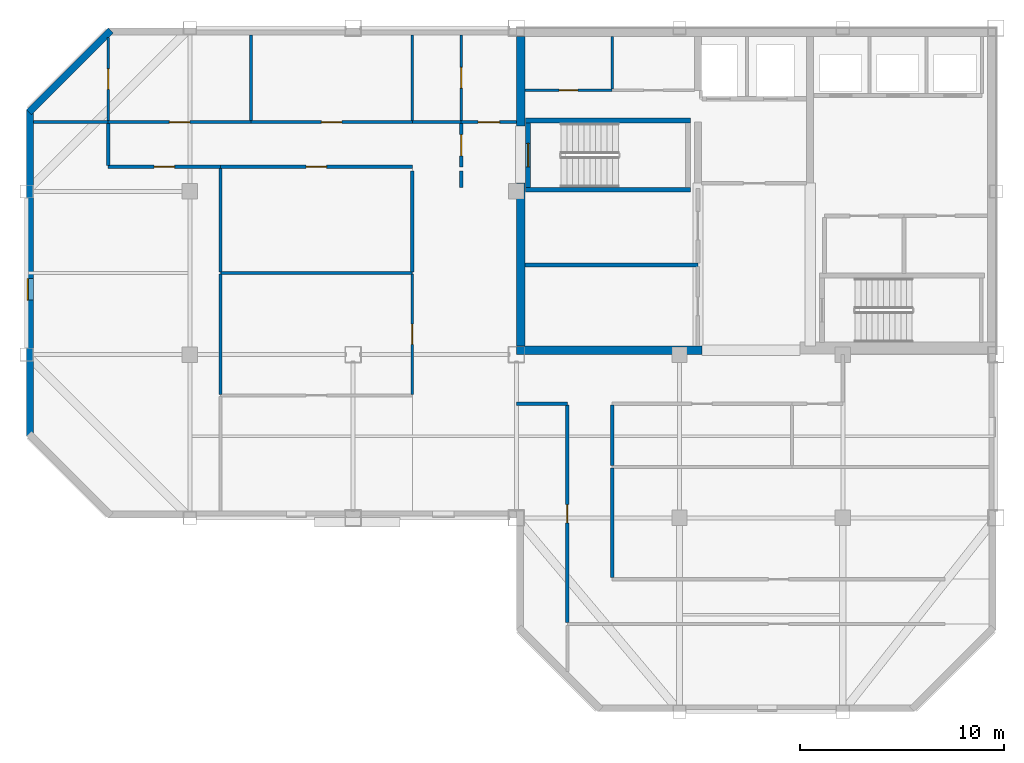
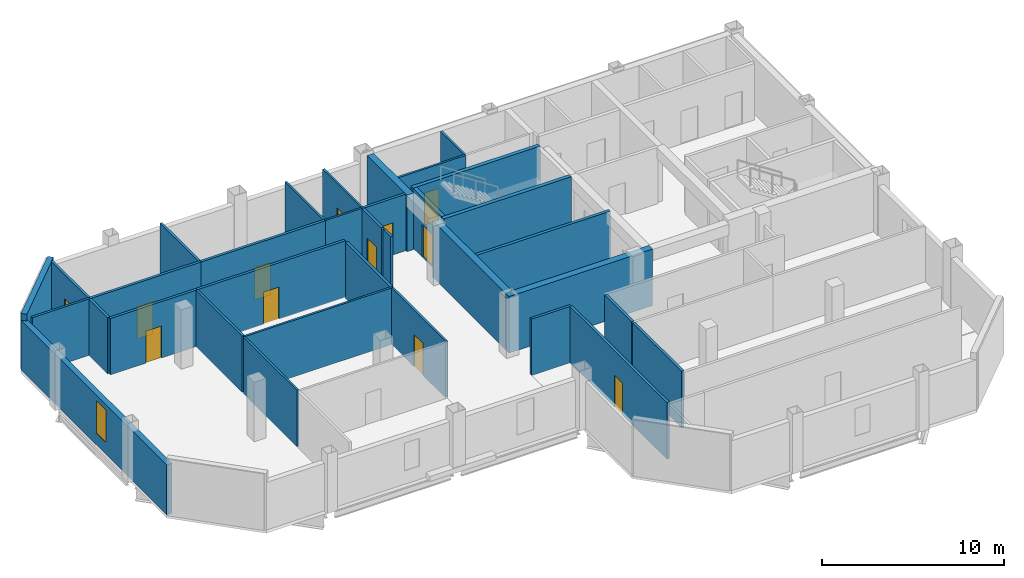
# One storey, part 2 of 7: 34 walls, 12 doors, 1 window, 13 openings.
"""IFC4 building model written with IfcOpenShell, lengths in metres."""

from ifc_helpers import new_model, si_unit, direction, frame, frame_2d, origin, place, context, subcontext, project, spatial, rectangle, extrude, material, layer, layer_set, type_object, element, fill, save


model = new_model("IFC4")

# Units and contexts
model_context = context("Model", 3, precision=1e-05, world=origin(), true_north=direction((0.0, 1.0)))
body_context = subcontext(model_context, "Body", "Model", "MODEL_VIEW")
ifc_project = project(units=[si_unit("LENGTHUNIT", "METRE"), si_unit("AREAUNIT", "SQUARE_METRE"), si_unit("VOLUMEUNIT", "CUBIC_METRE"), si_unit("PLANEANGLEUNIT", "RADIAN"), si_unit("MASSUNIT", "GRAM", prefix="KILO")], contexts=[model_context])

# Site, building, storey
site_placement = place(None, origin())
site = spatial("IfcSite", under=ifc_project, at=site_placement, CompositionType="ELEMENT")
building_placement = place(site_placement, origin())
building = spatial("IfcBuilding", under=site, at=building_placement, Name="Qianrong Seaharbour Tower", CompositionType="ELEMENT")
storey_placement = place(building_placement, frame((0.0, 0.0, 347.199951171875)))
storey = spatial("IfcBuildingStorey", under=building, at=storey_placement, Name="L84", CompositionType="ELEMENT", Elevation=347.199951171875)

# Walls
ifc_material_1 = material(Name="Concrete C50/60", Category="concrete")
ifc_layer_1 = layer(ifc_material_1, 0.419921875)
ifc_layer_set_1 = layer_set([ifc_layer_1], Name="Concrete C50/60")
wall_type_1 = type_object("IfcWallType", Name="WALL-CORE-420", PredefinedType="SHEAR", material=ifc_layer_set_1)
wall_1_placement = place(storey_placement, frame((40.7099609375, 36.419921875, 0.0), z_axis=(0.0, 0.0, 1.0), x_axis=(0.0, 1.0, 0.0)))
element("IfcWall", 1, at=wall_1_placement, inside=storey, type_object=wall_type_1, Name="L84 West Core Shear Wall South", PredefinedType="SHEAR", context=body_context, shape_type="SweptSolid", body=[
    extrude(rectangle(XDim=7.97998046875, YDim=0.419921875, at=frame_2d((3.989990234375, 0.0))), origin(), (0.0, 0.0, 1.0), 3.78515625),
])
wall_2_placement = place(storey_placement, frame((40.7099609375, 47.199951171875, 0.0), z_axis=(0.0, 0.0, 1.0), x_axis=(0.0, 1.0, 0.0)))
element("IfcWall", 2, at=wall_2_placement, inside=storey, type_object=wall_type_1, Name="L84 West Core Shear Wall North", PredefinedType="SHEAR", context=body_context, shape_type="SweptSolid", body=[
    extrude(rectangle(XDim=4.380126953125, YDim=0.419921875, at=frame_2d((2.18994140625, 0.0))), origin(), (0.0, 0.0, 1.0), 3.78515625),
])
wall_3_placement = place(storey_placement, frame((40.5, 36.2099609375, 0.0), z_axis=(0.0, 0.0, 1.0), x_axis=(1.0, 0.0, 0.0)))
element("IfcWall", 3, at=wall_3_placement, inside=storey, type_object=wall_type_1, Name="L84 South Core Shear Wall S1", PredefinedType="SHEAR", context=body_context, shape_type="SweptSolid", body=[
    extrude(rectangle(XDim=9.10009765625, YDim=0.419921875, at=frame_2d((4.550048828125, 0.0))), origin(), (0.0, 0.0, 1.0), 3.78515625),
])

# Wall, opening, door
ifc_material_2 = material(Name="Fire-rated acoustic gypsum board partition")
ifc_layer_2 = layer(ifc_material_2, 0.1650390625)
ifc_layer_set_2 = layer_set([ifc_layer_2], Name="Fire-rated acoustic gypsum board partition")
wall_type_2 = type_object("IfcWallType", Name="WALL-CORR-PART-165", PredefinedType="PARTITIONING", material=ifc_layer_set_2)
wall_4_placement = place(storey_placement, frame((37.800048828125, 47.39990234375, 0.0), z_axis=(0.0, 0.0, 1.0), x_axis=(1.0, 0.0, 0.0)))
wall_4 = element("IfcWall", 4, at=wall_4_placement, inside=storey, type_object=wall_type_2, Name="L84 Interior Partition Wall 001", PredefinedType="PARTITIONING", context=body_context, shape_type="SweptSolid", body=[
    extrude(rectangle(XDim=2.699951171875, YDim=0.1650390625, at=frame_2d((1.35009765625, 0.0))), origin(), (0.0, 0.0, 1.0), 3.78515625),
])
opening_1_placement = place(wall_4_placement, frame((0.824951171875, 0.0, 0.0)))
opening_1 = element("IfcOpeningElement", 5, at=opening_1_placement, cuts=wall_4, Name="Opening DC-01", PredefinedType="OPENING", context=body_context, shape_type="SweptSolid", body=[
    extrude(rectangle(XDim=1.050048828125, YDim=2.14990234375, at=frame_2d((0.52490234375, 1.074951171875))), frame((0.0, 0.092529296875, 0.0), z_axis=(0.0, -1.0, 0.0), x_axis=(1.0, 0.0, 0.0)), (0.0, 0.0, 1.0), 0.18505859375),
])
ifc_material_3 = material(Name="Acoustic timber and galvanized steel fire door assembly", Category="steel")
door_type_1 = type_object("IfcDoorType", Name="DOOR-CORR-FD60-1050x2150", OperationType="NOTDEFINED", PredefinedType="DOOR", material=ifc_material_3)
door_1_placement = place(opening_1_placement, origin())
door_1 = element("IfcDoor", 6, at=door_1_placement, inside=storey, type_object=door_type_1, Name="L84 Smokeproof Stair Vestibule ST-1 Door", OperationType="SINGLE_SWING_RIGHT", OverallHeight=2.14990234375, OverallWidth=1.050048828125, PredefinedType="DOOR", context=body_context, shape_type="SweptSolid", body=[
    extrude(rectangle(XDim=1.050048828125, YDim=2.14990234375, at=frame_2d((0.52490234375, 1.074951171875))), frame((0.0, 0.02490234375, 0.0), z_axis=(0.0, -1.0, 0.0), x_axis=(1.0, 0.0, 0.0)), (0.0, 0.0, 1.0), 0.050048828125),
])
fill(opening_1, door_1)

wall_5_placement = place(storey_placement, frame((37.800048828125, 45.199951171875, 0.0), z_axis=(0.0, 0.0, 1.0), x_axis=(0.0, 1.0, 0.0)))
wall_5 = element("IfcWall", 7, at=wall_5_placement, inside=storey, type_object=wall_type_2, Name="L84 Interior Partition Wall 002", PredefinedType="PARTITIONING", context=body_context, shape_type="SweptSolid", body=[
    extrude(rectangle(XDim=2.12548828125, YDim=0.1650390625, at=frame_2d((1.062744140625, 0.0))), origin(), (0.0, 0.0, 1.0), 3.78515625),
])
opening_2_placement = place(wall_5_placement, frame((0.537841796875, 0.0, 0.0)))
opening_2 = element("IfcOpeningElement", 8, at=opening_2_placement, cuts=wall_5, Name="Opening DC-01", PredefinedType="OPENING", context=body_context, shape_type="SweptSolid", body=[
    extrude(rectangle(XDim=1.050048828125, YDim=2.14990234375, at=frame_2d((0.52490234375, 1.074951171875))), frame((0.0, 0.092529296875, 0.0), z_axis=(0.0, -1.0, 0.0), x_axis=(1.0, 0.0, 0.0)), (0.0, 0.0, 1.0), 0.18505859375),
])
door_2_placement = place(opening_2_placement, origin())
door_2 = element("IfcDoor", 9, at=door_2_placement, inside=storey, type_object=door_type_1, Name="L84 Smokeproof Stair Vestibule ST-1 Door", OperationType="SINGLE_SWING_LEFT", OverallHeight=2.14990234375, OverallWidth=1.050048828125, PredefinedType="DOOR", context=body_context, shape_type="SweptSolid", body=[
    extrude(rectangle(XDim=1.050048828125, YDim=2.14990234375, at=frame_2d((0.52490234375, 1.074951171875))), frame((0.0, 0.02490234375, 0.0), z_axis=(0.0, -1.0, 0.0), x_axis=(1.0, 0.0, 0.0)), (0.0, 0.0, 1.0), 0.050048828125),
])
fill(opening_2, door_2)

# Wall
wall_6_placement = place(storey_placement, frame((37.800048828125, 44.199951171875, 0.0), z_axis=(0.0, 0.0, 1.0), x_axis=(0.0, 1.0, 0.0)))
element("IfcWall", 10, at=wall_6_placement, inside=storey, type_object=wall_type_2, Name="L84 Interior Partition Wall 003", PredefinedType="PARTITIONING", context=body_context, shape_type="SweptSolid", body=[
    extrude(rectangle(XDim=0.800048828125, YDim=0.1650390625, at=frame_2d((0.39990234375, 0.0))), origin(), (0.0, 0.0, 1.0), 3.78515625),
])

# Wall, opening, door
wall_7_placement = place(storey_placement, frame((20.5, 47.39990234375, 0.0), z_axis=(0.0, 0.0, 1.0), x_axis=(1.0, 0.0, 0.0)))
wall_7 = element("IfcWall", 11, at=wall_7_placement, inside=storey, type_object=wall_type_2, Name="L84 Interior Partition Wall 018", PredefinedType="PARTITIONING", context=body_context, shape_type="SweptSolid", body=[
    extrude(rectangle(XDim=7.0, YDim=0.1650390625, at=frame_2d((3.5, 0.0))), origin(), (0.0, 0.0, 1.0), 3.78515625),
])
opening_3_placement = place(wall_7_placement, frame((3.0, 0.0, 0.0)))
opening_3 = element("IfcOpeningElement", 12, at=opening_3_placement, cuts=wall_7, Name="Opening DO-01", PredefinedType="OPENING", context=body_context, shape_type="SweptSolid", body=[
    extrude(rectangle(XDim=1.0, YDim=2.14990234375, at=frame_2d((0.5, 1.074951171875))), frame((0.0, 0.092529296875, 0.0), z_axis=(0.0, -1.0, 0.0), x_axis=(1.0, 0.0, 0.0)), (0.0, 0.0, 1.0), 0.18505859375),
])
door_type_2 = type_object("IfcDoorType", Name="DOOR-OFFICE-1000x2150", OperationType="NOTDEFINED", PredefinedType="DOOR", material=ifc_material_3)
door_3_placement = place(opening_3_placement, origin())
door_3 = element("IfcDoor", 13, at=door_3_placement, inside=storey, type_object=door_type_2, Name="L84 Physiotherapy Room 2 Door", OperationType="SINGLE_SWING_LEFT", OverallHeight=2.14990234375, OverallWidth=1.0, PredefinedType="DOOR", context=body_context, shape_type="SweptSolid", body=[
    extrude(rectangle(XDim=1.0, YDim=2.14990234375, at=frame_2d((0.5, 1.074951171875))), frame((0.0, 0.02490234375, 0.0), z_axis=(0.0, -1.0, 0.0), x_axis=(1.0, 0.0, 0.0)), (0.0, 0.0, 1.0), 0.050048828125),
])
fill(opening_3, door_3)

wall_8_placement = place(storey_placement, frame((27.5, 47.39990234375, 0.0), z_axis=(0.0, 0.0, 1.0), x_axis=(1.0, 0.0, 0.0)))
wall_8 = element("IfcWall", 14, at=wall_8_placement, inside=storey, type_object=wall_type_2, Name="L84 Interior Partition Wall 019", PredefinedType="PARTITIONING", context=body_context, shape_type="SweptSolid", body=[
    extrude(rectangle(XDim=7.89990234375, YDim=0.1650390625, at=frame_2d((3.949951171875, 0.0))), origin(), (0.0, 0.0, 1.0), 3.78515625),
])
opening_4_placement = place(wall_8_placement, frame((3.449951171875, 0.0, 0.0)))
opening_4 = element("IfcOpeningElement", 15, at=opening_4_placement, cuts=wall_8, Name="Opening DO-01", PredefinedType="OPENING", context=body_context, shape_type="SweptSolid", body=[
    extrude(rectangle(XDim=1.0, YDim=2.14990234375, at=frame_2d((0.5, 1.074951171875))), frame((0.0, 0.092529296875, 0.0), z_axis=(0.0, -1.0, 0.0), x_axis=(1.0, 0.0, 0.0)), (0.0, 0.0, 1.0), 0.18505859375),
])
door_4_placement = place(opening_4_placement, origin())
door_4 = element("IfcDoor", 16, at=door_4_placement, inside=storey, type_object=door_type_2, Name="L84 First Aid Nursing Room 3 Door", OperationType="SINGLE_SWING_RIGHT", OverallHeight=2.14990234375, OverallWidth=1.0, PredefinedType="DOOR", context=body_context, shape_type="SweptSolid", body=[
    extrude(rectangle(XDim=1.0, YDim=2.14990234375, at=frame_2d((0.5, 1.074951171875))), frame((0.0, 0.02490234375, 0.0), z_axis=(0.0, -1.0, 0.0), x_axis=(1.0, 0.0, 0.0)), (0.0, 0.0, 1.0), 0.050048828125),
])
fill(opening_4, door_4)

wall_9_placement = place(storey_placement, frame((26.0, 45.199951171875, 0.0), z_axis=(0.0, 0.0, 1.0), x_axis=(-1.0, 0.0, 0.0)))
wall_9 = element("IfcWall", 17, at=wall_9_placement, inside=storey, type_object=wall_type_2, Name="L84 Interior Partition Wall 020", PredefinedType="PARTITIONING", context=body_context, shape_type="SweptSolid", body=[
    extrude(rectangle(XDim=5.5, YDim=0.1650390625, at=frame_2d((2.75, 0.0))), origin(), (0.0, 0.0, 1.0), 3.78515625),
])
opening_5_placement = place(wall_9_placement, frame((2.25, 0.0, 0.0)))
opening_5 = element("IfcOpeningElement", 18, at=opening_5_placement, cuts=wall_9, Name="Opening DO-01", PredefinedType="OPENING", context=body_context, shape_type="SweptSolid", body=[
    extrude(rectangle(XDim=1.0, YDim=2.14990234375, at=frame_2d((0.5, 1.074951171875))), frame((0.0, 0.092529296875, 0.0), z_axis=(0.0, -1.0, 0.0), x_axis=(1.0, 0.0, 0.0)), (0.0, 0.0, 1.0), 0.18505859375),
])
door_5_placement = place(opening_5_placement, origin())
door_5 = element("IfcDoor", 19, at=door_5_placement, inside=storey, type_object=door_type_2, Name="L84 Wellness Exercise Hall Door", OperationType="SINGLE_SWING_LEFT", OverallHeight=2.14990234375, OverallWidth=1.0, PredefinedType="DOOR", context=body_context, shape_type="SweptSolid", body=[
    extrude(rectangle(XDim=1.0, YDim=2.14990234375, at=frame_2d((0.5, 1.074951171875))), frame((0.0, 0.02490234375, 0.0), z_axis=(0.0, -1.0, 0.0), x_axis=(1.0, 0.0, 0.0)), (0.0, 0.0, 1.0), 0.050048828125),
])
fill(opening_5, door_5)

# Wall
wall_10_placement = place(storey_placement, frame((20.5, 45.2744140625, 0.0), z_axis=(0.0, 0.0, 1.0), x_axis=(0.0, 1.0, 0.0)))
element("IfcWall", 20, at=wall_10_placement, inside=storey, type_object=wall_type_2, Name="L84 Interior Partition Wall 021", PredefinedType="PARTITIONING", context=body_context, shape_type="SweptSolid", body=[
    extrude(rectangle(XDim=2.051025390625, YDim=0.1650390625, at=frame_2d((1.025390625, 0.0))), origin(), (0.0, 0.0, 1.0), 3.78515625),
])

# Wall, opening, door
wall_11_placement = place(storey_placement, frame((35.39990234375, 45.199951171875, 0.0), z_axis=(0.0, 0.0, 1.0), x_axis=(-1.0, 0.0, 0.0)))
wall_11 = element("IfcWall", 21, at=wall_11_placement, inside=storey, type_object=wall_type_2, Name="L84 Interior Partition Wall 022", PredefinedType="PARTITIONING", context=body_context, shape_type="SweptSolid", body=[
    extrude(rectangle(XDim=9.39990234375, YDim=0.1650390625, at=frame_2d((4.699951171875, 0.0))), origin(), (0.0, 0.0, 1.0), 3.78515625),
])
opening_6_placement = place(wall_11_placement, frame((4.199951171875, 0.0, 0.0)))
opening_6 = element("IfcOpeningElement", 22, at=opening_6_placement, cuts=wall_11, Name="Opening DO-01", PredefinedType="OPENING", context=body_context, shape_type="SweptSolid", body=[
    extrude(rectangle(XDim=1.0, YDim=2.14990234375, at=frame_2d((0.5, 1.074951171875))), frame((0.0, 0.092529296875, 0.0), z_axis=(0.0, -1.0, 0.0), x_axis=(1.0, 0.0, 0.0)), (0.0, 0.0, 1.0), 0.18505859375),
])
door_6_placement = place(opening_6_placement, origin())
door_6 = element("IfcDoor", 23, at=door_6_placement, inside=storey, type_object=door_type_2, Name="L84 Records Office 3 Door", OperationType="SINGLE_SWING_RIGHT", OverallHeight=2.14990234375, OverallWidth=1.0, PredefinedType="DOOR", context=body_context, shape_type="SweptSolid", body=[
    extrude(rectangle(XDim=1.0, YDim=2.14990234375, at=frame_2d((0.5, 1.074951171875))), frame((0.0, 0.02490234375, 0.0), z_axis=(0.0, -1.0, 0.0), x_axis=(1.0, 0.0, 0.0)), (0.0, 0.0, 1.0), 0.050048828125),
])
fill(opening_6, door_6)

# Walls
wall_12_placement = place(storey_placement, frame((35.39990234375, 40.056884765625, 0.0), z_axis=(0.0, 0.0, 1.0), x_axis=(0.0, 1.0, 0.0)))
element("IfcWall", 24, at=wall_12_placement, inside=storey, type_object=wall_type_2, Name="L84 Interior Partition Wall 024", PredefinedType="PARTITIONING", context=body_context, shape_type="SweptSolid", body=[
    extrude(rectangle(XDim=4.943115234375, YDim=0.1650390625, at=frame_2d((2.4716796875, 0.0))), origin(), (0.0, 0.0, 1.0), 3.78515625),
])
wall_13_placement = place(storey_placement, frame((43.0, 33.60009765625, 0.0), z_axis=(0.0, 0.0, 1.0), x_axis=(-1.0, 0.0, 0.0)))
element("IfcWall", 25, at=wall_13_placement, inside=storey, type_object=wall_type_2, Name="L84 Interior Partition Wall 028", PredefinedType="PARTITIONING", context=body_context, shape_type="SweptSolid", body=[
    extrude(rectangle(XDim=2.5, YDim=0.1650390625, at=frame_2d((1.25, 0.0))), origin(), (0.0, 0.0, 1.0), 3.78515625),
])
wall_14_placement = place(storey_placement, frame((45.199951171875, 30.435546875, 0.0), z_axis=(0.0, 0.0, 1.0), x_axis=(0.0, -1.0, 0.0)))
element("IfcWall", 26, at=wall_14_placement, inside=storey, type_object=wall_type_2, Name="L84 Interior Partition Wall 030", PredefinedType="PARTITIONING", context=body_context, shape_type="SweptSolid", body=[
    extrude(rectangle(XDim=5.361083984375, YDim=0.1650390625, at=frame_2d((2.6806640625, 0.0))), origin(), (0.0, 0.0, 1.0), 3.78515625),
])
wall_15_placement = place(storey_placement, frame((45.199951171875, 33.525390625, 0.0), z_axis=(0.0, 0.0, 1.0), x_axis=(0.0, -1.0, 0.0)))
element("IfcWall", 27, at=wall_15_placement, inside=storey, type_object=wall_type_2, Name="L84 Interior Partition Wall 031", PredefinedType="PARTITIONING", context=body_context, shape_type="SweptSolid", body=[
    extrude(rectangle(XDim=2.9609375, YDim=0.1650390625, at=frame_2d((1.48046875, 0.0))), origin(), (0.0, 0.0, 1.0), 3.78515625),
])

# Wall, opening, door
wall_16_placement = place(storey_placement, frame((43.0, 22.87451171875, 0.0), z_axis=(0.0, 0.0, 1.0), x_axis=(0.0, 1.0, 0.0)))
wall_16 = element("IfcWall", 28, at=wall_16_placement, inside=storey, type_object=wall_type_2, Name="L84 Interior Partition Wall 032", PredefinedType="PARTITIONING", context=body_context, shape_type="SweptSolid", body=[
    extrude(rectangle(XDim=10.65087890625, YDim=0.1650390625, at=frame_2d((5.325439453125, 0.0))), origin(), (0.0, 0.0, 1.0), 3.78515625),
])
opening_7_placement = place(wall_16_placement, frame((4.87548828125, 0.0, 0.0)))
opening_7 = element("IfcOpeningElement", 29, at=opening_7_placement, cuts=wall_16, Name="Opening DS-01", PredefinedType="OPENING", context=body_context, shape_type="SweptSolid", body=[
    extrude(rectangle(XDim=0.89990234375, YDim=2.14990234375, at=frame_2d((0.449951171875, 1.074951171875))), frame((0.0, 0.092529296875, 0.0), z_axis=(0.0, -1.0, 0.0), x_axis=(1.0, 0.0, 0.0)), (0.0, 0.0, 1.0), 0.18505859375),
])
door_type_3 = type_object("IfcDoorType", Name="DOOR-STORE-900x2150", OperationType="NOTDEFINED", PredefinedType="DOOR", material=ifc_material_3)
door_7_placement = place(opening_7_placement, origin())
door_7 = element("IfcDoor", 30, at=door_7_placement, inside=storey, type_object=door_type_3, Name="L84 Clinical Dispensary Store Door", OperationType="SINGLE_SWING_LEFT", OverallHeight=2.14990234375, OverallWidth=0.89990234375, PredefinedType="DOOR", context=body_context, shape_type="SweptSolid", body=[
    extrude(rectangle(XDim=0.89990234375, YDim=2.14990234375, at=frame_2d((0.449951171875, 1.074951171875))), frame((0.0, 0.02490234375, 0.0), z_axis=(0.0, -1.0, 0.0), x_axis=(1.0, 0.0, 0.0)), (0.0, 0.0, 1.0), 0.050048828125),
])
fill(opening_7, door_7)

# Wall, opening, window
ifc_material_4 = material(Name="Unitised buff brick on Precast concrete C45/55", Category="masonry")
ifc_layer_3 = layer(ifc_material_4, 0.340087890625)
ifc_layer_set_3 = layer_set([ifc_layer_3], Name="Unitised buff brick on Precast concrete C45/55")
wall_type_3 = type_object("IfcWallType", Name="WALL-EXT-BRICK-BUFF-340", PredefinedType="SOLIDWALL", material=ifc_layer_set_3)
wall_17_placement = place(storey_placement, frame((16.669921875, 32.0, 0.0), z_axis=(0.0, 0.0, 1.0), x_axis=(0.0, 1.0, 0.0)))
wall_17 = element("IfcWall", 31, at=wall_17_placement, inside=storey, type_object=wall_type_3, Name="L84 Exterior Masonry Facade Wall WEST_TIP", PredefinedType="SOLIDWALL", context=body_context, shape_type="SweptSolid", body=[
    extrude(rectangle(XDim=16.0, YDim=0.340087890625, at=frame_2d((8.0, 0.0))), origin(), (0.0, 0.0, 1.0), 3.3349609375),
])
opening_8_placement = place(wall_17_placement, frame((6.675048828125, 0.0, 0.800048828125)))
opening_8 = element("IfcOpeningElement", 32, at=opening_8_placement, cuts=wall_17, Name="Opening WN-14", PredefinedType="OPENING", context=body_context, shape_type="SweptSolid", body=[
    extrude(rectangle(XDim=1.050048828125, YDim=2.14990234375, at=frame_2d((0.52490234375, 1.074951171875))), frame((0.0, 0.18017578125, 0.0), z_axis=(0.0, -1.0, 0.0), x_axis=(1.0, 0.0, 0.0)), (0.0, 0.0, 1.0), 0.360107421875),
])
ifc_material_5 = material(Name="Insulated low-e double glazing in thermally broken aluminium 6063-T6 frame", Category="aluminium")
window_type = type_object("IfcWindowType", Name="WIN-NARROW-1050x2150", PartitioningType="SINGLE_PANEL", PredefinedType="WINDOW", material=ifc_material_5)
window_placement = place(opening_8_placement, origin())
window = element("IfcWindow", 33, at=window_placement, inside=storey, type_object=window_type, Name="L84 Deep-Set Punched Window 03.02", OverallHeight=2.14990234375, OverallWidth=1.050048828125, PartitioningType="SINGLE_PANEL", PredefinedType="WINDOW", context=body_context, shape_type="SweptSolid", body=[
    extrude(rectangle(XDim=1.050048828125, YDim=2.14990234375, at=frame_2d((0.52490234375, 1.074951171875))), frame((0.0, 0.150146484375, 0.0), z_axis=(0.0, -1.0, 0.0), x_axis=(1.0, 0.0, 0.0)), (0.0, 0.0, 1.0), 0.06005859375),
])
fill(opening_8, window)

# Walls
wall_18_placement = place(storey_placement, frame((16.6201171875, 47.8798828125, 0.0), z_axis=(0.0, 0.0, 1.0), x_axis=(0.707106781187, 0.707106781187, 0.0)))
element("IfcWall", 34, at=wall_18_placement, inside=storey, type_object=wall_type_3, Name="L84 Exterior Masonry Facade Wall E04", PredefinedType="SOLIDWALL", context=body_context, shape_type="SweptSolid", body=[
    extrude(rectangle(XDim=5.65673828125, YDim=0.340087890625, at=frame_2d((2.828369140625, 0.0))), origin(), (0.0, 0.0, 1.0), 3.78515625),
])
ifc_material_6 = material(Name="Double fire-rated gypsum board acoustic partition")
ifc_layer_4 = layer(ifc_material_6, 0.18994140625)
ifc_layer_set_4 = layer_set([ifc_layer_4], Name="Double fire-rated gypsum board acoustic partition")
wall_type_4 = type_object("IfcWallType", Name="WALL-FIRE-PART-190", PredefinedType="PARTITIONING", material=ifc_layer_set_4)
wall_19_placement = place(storey_placement, frame((40.919921875, 40.39990234375, 0.0), z_axis=(0.0, 0.0, 1.0), x_axis=(1.0, 0.0, 0.0)))
element("IfcWall", 35, at=wall_19_placement, inside=storey, type_object=wall_type_4, Name="L84 Interior Partition Wall 013", PredefinedType="PARTITIONING", context=body_context, shape_type="SweptSolid", body=[
    extrude(rectangle(XDim=8.47998046875, YDim=0.18994140625, at=frame_2d((4.239990234375, 0.0))), origin(), (0.0, 0.0, 1.0), 3.78515625),
])

# Wall, opening, door
ifc_material_7 = material(Name="Acoustic gypsum board stud partition")
ifc_layer_5 = layer(ifc_material_7, 0.14501953125)
ifc_layer_set_5 = layer_set([ifc_layer_5], Name="Acoustic gypsum board stud partition")
wall_type_5 = type_object("IfcWallType", Name="WALL-OFFICE-PART-145", PredefinedType="PARTITIONING", material=ifc_layer_set_5)
wall_20_placement = place(storey_placement, frame((20.5, 51.530517578125, 0.0), z_axis=(0.0, 0.0, 1.0), x_axis=(0.0, -1.0, 0.0)))
wall_20 = element("IfcWall", 36, at=wall_20_placement, inside=storey, type_object=wall_type_5, Name="L84 Interior Partition Wall 039", PredefinedType="PARTITIONING", context=body_context, shape_type="SweptSolid", body=[
    extrude(rectangle(XDim=4.055908203125, YDim=0.14501953125, at=frame_2d((2.02783203125, 0.0))), origin(), (0.0, 0.0, 1.0), 3.78515625),
])
opening_9_placement = place(wall_20_placement, frame((1.528076171875, 0.0, 0.0)))
opening_9 = element("IfcOpeningElement", 37, at=opening_9_placement, cuts=wall_20, Name="Opening DO-01", PredefinedType="OPENING", context=body_context, shape_type="SweptSolid", body=[
    extrude(rectangle(XDim=1.0, YDim=2.14990234375, at=frame_2d((0.5, 1.074951171875))), frame((0.0, 0.08251953125, 0.0), z_axis=(0.0, -1.0, 0.0), x_axis=(1.0, 0.0, 0.0)), (0.0, 0.0, 1.0), 0.1650390625),
])
door_8_placement = place(opening_9_placement, origin())
door_8 = element("IfcDoor", 38, at=door_8_placement, inside=storey, type_object=door_type_2, Name="L84 Occupational Health Clinic 1 Door", OperationType="SINGLE_SWING_RIGHT", OverallHeight=2.14990234375, OverallWidth=1.0, PredefinedType="DOOR", context=body_context, shape_type="SweptSolid", body=[
    extrude(rectangle(XDim=1.0, YDim=2.14990234375, at=frame_2d((0.5, 1.074951171875))), frame((0.0, 0.02490234375, 0.0), z_axis=(0.0, -1.0, 0.0), x_axis=(1.0, 0.0, 0.0)), (0.0, 0.0, 1.0), 0.050048828125),
])
fill(opening_9, door_8)

# Walls
wall_21_placement = place(storey_placement, frame((20.5, 47.39990234375, 0.0), z_axis=(0.0, 0.0, 1.0), x_axis=(-1.0, 0.0, 0.0)))
element("IfcWall", 39, at=wall_21_placement, inside=storey, type_object=wall_type_5, Name="L84 Interior Partition Wall 040", PredefinedType="PARTITIONING", context=body_context, shape_type="SweptSolid", body=[
    extrude(rectangle(XDim=3.66796875, YDim=0.14501953125, at=frame_2d((1.833984375, 0.0))), origin(), (0.0, 0.0, 1.0), 3.78515625),
])
wall_22_placement = place(storey_placement, frame((27.5, 51.66796875, 0.0), z_axis=(0.0, 0.0, 1.0), x_axis=(0.0, -1.0, 0.0)))
element("IfcWall", 40, at=wall_22_placement, inside=storey, type_object=wall_type_5, Name="L84 Interior Partition Wall 041", PredefinedType="PARTITIONING", context=body_context, shape_type="SweptSolid", body=[
    extrude(rectangle(XDim=4.193359375, YDim=0.14501953125, at=frame_2d((2.0966796875, 0.0))), origin(), (0.0, 0.0, 1.0), 3.78515625),
])
wall_23_placement = place(storey_placement, frame((26.0, 45.12548828125, 0.0), z_axis=(0.0, 0.0, 1.0), x_axis=(0.0, -1.0, 0.0)))
element("IfcWall", 41, at=wall_23_placement, inside=storey, type_object=wall_type_5, Name="L84 Interior Partition Wall 044", PredefinedType="PARTITIONING", context=body_context, shape_type="SweptSolid", body=[
    extrude(rectangle(XDim=5.068603515625, YDim=0.14501953125, at=frame_2d((2.5341796875, 0.0))), origin(), (0.0, 0.0, 1.0), 3.78515625),
])
ifc_layer_6 = layer(ifc_material_1, 0.239990234375)
ifc_layer_set_6 = layer_set([ifc_layer_6], Name="Concrete C50/60")
wall_type_6 = type_object("IfcWallType", Name="WALL-SHAFT-RC240", PredefinedType="SOLIDWALL", material=ifc_layer_set_6)
for number, where, z_axis, x_axis, name in (
    (42, (40.9599609375, 47.469970703125, 0.0), (0.0, 0.0, 1.0), (1.0, 0.0, 0.0), "L84 ST-1 Structural Stair Core Wall N"),
    (43, (49.0400390625, 44.080078125, 0.0), (0.0, 0.0, 1.0), (-1.0, 0.0, 0.0), "L84 ST-1 Structural Stair Core Wall S"),
):
    element("IfcWall", number, at=place(storey_placement, frame(where, z_axis=z_axis, x_axis=x_axis)), inside=storey, type_object=wall_type_6, Name=name, PredefinedType="SOLIDWALL", context=body_context, shape_type="SweptSolid", body=[
        extrude(rectangle(XDim=8.080078125, YDim=0.239990234375, at=frame_2d((4.0400390625, 0.0))), origin(), (0.0, 0.0, 1.0), 4.0),
    ])

# Wall, opening, door
wall_24_placement = place(storey_placement, frame((41.080078125, 47.35009765625, 0.0), z_axis=(0.0, 0.0, 1.0), x_axis=(0.0, -1.0, 0.0)))
wall_24 = element("IfcWall", 44, at=wall_24_placement, inside=storey, type_object=wall_type_6, Name="L84 ST-1 Structural Stair Core Wall W", PredefinedType="SOLIDWALL", context=body_context, shape_type="SweptSolid", body=[
    extrude(rectangle(XDim=3.150146484375, YDim=0.239990234375, at=frame_2d((1.5751953125, 0.0))), origin(), (0.0, 0.0, 1.0), 4.0),
])
opening_10_placement = place(wall_24_placement, frame((1.0, 0.0, 0.0)))
opening_10 = element("IfcOpeningElement", 45, at=opening_10_placement, cuts=wall_24, Name="Opening SD-01", PredefinedType="OPENING", context=body_context, shape_type="SweptSolid", body=[
    extrude(rectangle(XDim=1.14990234375, YDim=2.199951171875, at=frame_2d((0.574951171875, 1.10009765625))), frame((0.0, 0.1298828125, 0.0), z_axis=(0.0, -1.0, 0.0), x_axis=(1.0, 0.0, 0.0)), (0.0, 0.0, 1.0), 0.260009765625),
])
door_type_4 = type_object("IfcDoorType", Name="DOOR-STAIR-FD60-1150x2200", OperationType="NOTDEFINED", PredefinedType="DOOR", material=ifc_material_3)
door_9_placement = place(opening_10_placement, origin())
door_9 = element("IfcDoor", 46, at=door_9_placement, inside=storey, type_object=door_type_4, Name="L84 ST-1 Protected Stair Door", OperationType="SINGLE_SWING_LEFT", OverallHeight=2.199951171875, OverallWidth=1.14990234375, PredefinedType="DOOR", context=body_context, shape_type="SweptSolid", body=[
    extrude(rectangle(XDim=1.14990234375, YDim=2.199951171875, at=frame_2d((0.574951171875, 1.10009765625))), frame((0.0, 0.02490234375, 0.0), z_axis=(0.0, -1.0, 0.0), x_axis=(1.0, 0.0, 0.0)), (0.0, 0.0, 1.0), 0.050048828125),
])
fill(opening_10, door_9)

ifc_material_8 = material(Name="Water-resistant cement board sanitary partition")
ifc_layer_7 = layer(ifc_material_8, 0.1298828125)
ifc_layer_set_7 = layer_set([ifc_layer_7], Name="Water-resistant cement board sanitary partition")
wall_type_7 = type_object("IfcWallType", Name="WALL-WET-PART-130", PredefinedType="PARTITIONING", material=ifc_layer_set_7)
wall_25_placement = place(storey_placement, frame((37.800048828125, 47.474609375, 0.0), z_axis=(0.0, 0.0, 1.0), x_axis=(0.0, 1.0, 0.0)))
wall_25 = element("IfcWall", 47, at=wall_25_placement, inside=storey, type_object=wall_type_7, Name="L84 Interior Partition Wall 004", PredefinedType="PARTITIONING", context=body_context, shape_type="SweptSolid", body=[
    extrude(rectangle(XDim=4.193359375, YDim=0.1298828125, at=frame_2d((2.0966796875, 0.0))), origin(), (0.0, 0.0, 1.0), 3.78515625),
])
opening_11_placement = place(wall_25_placement, frame((1.5869140625, 0.0, 0.0)))
opening_11 = element("IfcOpeningElement", 48, at=opening_11_placement, cuts=wall_25, Name="Opening DAW-01", PredefinedType="OPENING", context=body_context, shape_type="SweptSolid", body=[
    extrude(rectangle(XDim=1.02001953125, YDim=2.14990234375, at=frame_2d((0.510009765625, 1.074951171875))), frame((0.0, 0.074951171875, 0.0), z_axis=(0.0, -1.0, 0.0), x_axis=(1.0, 0.0, 0.0)), (0.0, 0.0, 1.0), 0.14990234375),
])
door_type_5 = type_object("IfcDoorType", Name="DOOR-AWC-SLIDE-1020x2150", OperationType="SLIDING_TO_LEFT", PredefinedType="DOOR", material=ifc_material_3)
door_10_placement = place(opening_11_placement, origin())
door_10 = element("IfcDoor", 49, at=door_10_placement, inside=storey, type_object=door_type_5, Name="L84 Accessible Restroom WC Door", OperationType="SLIDING_TO_LEFT", OverallHeight=2.14990234375, OverallWidth=1.02001953125, PredefinedType="DOOR", context=body_context, shape_type="SweptSolid", body=[
    extrude(rectangle(XDim=1.02001953125, YDim=2.14990234375, at=frame_2d((0.510009765625, 1.074951171875))), frame((0.0, 0.02490234375, 0.0), z_axis=(0.0, -1.0, 0.0), x_axis=(1.0, 0.0, 0.0)), (0.0, 0.0, 1.0), 0.050048828125),
])
fill(opening_11, door_10)

# Walls
wall_26_placement = place(storey_placement, frame((37.800048828125, 47.39990234375, 0.0), z_axis=(0.0, 0.0, 1.0), x_axis=(-1.0, 0.0, 0.0)))
element("IfcWall", 50, at=wall_26_placement, inside=storey, type_object=wall_type_7, Name="L84 Interior Partition Wall 005", PredefinedType="PARTITIONING", context=body_context, shape_type="SweptSolid", body=[
    extrude(rectangle(XDim=2.400146484375, YDim=0.1298828125, at=frame_2d((1.2001953125, 0.0))), origin(), (0.0, 0.0, 1.0), 3.78515625),
])
wall_27_placement = place(storey_placement, frame((35.39990234375, 47.474609375, 0.0), z_axis=(0.0, 0.0, 1.0), x_axis=(0.0, 1.0, 0.0)))
element("IfcWall", 51, at=wall_27_placement, inside=storey, type_object=wall_type_7, Name="L84 Interior Partition Wall 006", PredefinedType="PARTITIONING", context=body_context, shape_type="SweptSolid", body=[
    extrude(rectangle(XDim=4.193359375, YDim=0.1298828125, at=frame_2d((2.0966796875, 0.0))), origin(), (0.0, 0.0, 1.0), 3.78515625),
])

# Wall, opening, door
wall_28_placement = place(storey_placement, frame((40.919921875, 48.949951171875, 0.0), z_axis=(0.0, 0.0, 1.0), x_axis=(1.0, 0.0, 0.0)))
wall_28 = element("IfcWall", 52, at=wall_28_placement, inside=storey, type_object=wall_type_7, Name="L84 Interior Partition Wall 007", PredefinedType="PARTITIONING", context=body_context, shape_type="SweptSolid", body=[
    extrude(rectangle(XDim=4.280029296875, YDim=0.1298828125, at=frame_2d((2.14013671875, 0.0))), origin(), (0.0, 0.0, 1.0), 3.78515625),
])
opening_12_placement = place(wall_28_placement, frame((1.679931640625, 0.0, 0.0)))
opening_12 = element("IfcOpeningElement", 53, at=opening_12_placement, cuts=wall_28, Name="Opening DW-01", PredefinedType="OPENING", context=body_context, shape_type="SweptSolid", body=[
    extrude(rectangle(XDim=0.919921875, YDim=2.14990234375, at=frame_2d((0.4599609375, 1.074951171875))), frame((0.0, 0.074951171875, 0.0), z_axis=(0.0, -1.0, 0.0), x_axis=(1.0, 0.0, 0.0)), (0.0, 0.0, 1.0), 0.14990234375),
])
door_type_6 = type_object("IfcDoorType", Name="DOOR-WC-920x2150", OperationType="NOTDEFINED", PredefinedType="DOOR", material=ifc_material_3)
door_11_placement = place(opening_12_placement, origin())
door_11 = element("IfcDoor", 54, at=door_11_placement, inside=storey, type_object=door_type_6, Name="L84 Male Restroom WC Door", OperationType="SINGLE_SWING_LEFT", OverallHeight=2.14990234375, OverallWidth=0.919921875, PredefinedType="DOOR", context=body_context, shape_type="SweptSolid", body=[
    extrude(rectangle(XDim=0.919921875, YDim=2.14990234375, at=frame_2d((0.4599609375, 1.074951171875))), frame((0.0, 0.02490234375, 0.0), z_axis=(0.0, -1.0, 0.0), x_axis=(1.0, 0.0, 0.0)), (0.0, 0.0, 1.0), 0.050048828125),
])
fill(opening_12, door_11)

# Wall
wall_29_placement = place(storey_placement, frame((45.199951171875, 51.580078125, 0.0), z_axis=(0.0, 0.0, 1.0), x_axis=(0.0, -1.0, 0.0)))
element("IfcWall", 55, at=wall_29_placement, inside=storey, type_object=wall_type_7, Name="L84 Interior Partition Wall 016", PredefinedType="PARTITIONING", context=body_context, shape_type="SweptSolid", body=[
    extrude(rectangle(XDim=2.572998046875, YDim=0.1298828125, at=frame_2d((1.28662109375, 0.0))), origin(), (0.0, 0.0, 1.0), 3.78515625),
])

# Wall, opening, door
wall_30_placement = place(storey_placement, frame((35.39990234375, 34.056884765625, 0.0), z_axis=(0.0, 0.0, 1.0), x_axis=(0.0, 1.0, 0.0)))
wall_30 = element("IfcWall", 56, at=wall_30_placement, inside=storey, type_object=wall_type_7, Name="L84 Interior Partition Wall 023", PredefinedType="PARTITIONING", context=body_context, shape_type="SweptSolid", body=[
    extrude(rectangle(XDim=5.88623046875, YDim=0.1298828125, at=frame_2d((2.943115234375, 0.0))), origin(), (0.0, 0.0, 1.0), 3.78515625),
])
opening_13_placement = place(wall_30_placement, frame((2.443115234375, 0.0, 0.0)))
opening_13 = element("IfcOpeningElement", 57, at=opening_13_placement, cuts=wall_30, Name="Opening DO-01", PredefinedType="OPENING", context=body_context, shape_type="SweptSolid", body=[
    extrude(rectangle(XDim=1.0, YDim=2.14990234375, at=frame_2d((0.5, 1.074951171875))), frame((0.0, 0.074951171875, 0.0), z_axis=(0.0, -1.0, 0.0), x_axis=(1.0, 0.0, 0.0)), (0.0, 0.0, 1.0), 0.14990234375),
])
door_12_placement = place(opening_13_placement, origin())
door_12 = element("IfcDoor", 58, at=door_12_placement, inside=storey, type_object=door_type_2, Name="L84 Wet Pantry 2 Door", OperationType="SINGLE_SWING_LEFT", OverallHeight=2.14990234375, OverallWidth=1.0, PredefinedType="DOOR", context=body_context, shape_type="SweptSolid", body=[
    extrude(rectangle(XDim=1.0, YDim=2.14990234375, at=frame_2d((0.5, 1.074951171875))), frame((0.0, 0.02490234375, 0.0), z_axis=(0.0, -1.0, 0.0), x_axis=(1.0, 0.0, 0.0)), (0.0, 0.0, 1.0), 0.050048828125),
])
fill(opening_13, door_12)

# Walls
wall_31_placement = place(storey_placement, frame((26.0, 39.943115234375, 0.0), z_axis=(0.0, 0.0, 1.0), x_axis=(0.0, -1.0, 0.0)))
element("IfcWall", 59, at=wall_31_placement, inside=storey, type_object=wall_type_7, Name="L84 Interior Partition Wall 043", PredefinedType="PARTITIONING", context=body_context, shape_type="SweptSolid", body=[
    extrude(rectangle(XDim=5.88623046875, YDim=0.1298828125, at=frame_2d((2.943115234375, 0.0))), origin(), (0.0, 0.0, 1.0), 3.78515625),
])
wall_32_placement = place(storey_placement, frame((26.0, 40.0, 0.0), z_axis=(0.0, 0.0, 1.0), x_axis=(1.0, 0.0, 0.0)))
element("IfcWall", 60, at=wall_32_placement, inside=storey, type_object=wall_type_7, Name="L84 Interior Partition Wall 046", PredefinedType="PARTITIONING", context=body_context, shape_type="SweptSolid", body=[
    extrude(rectangle(XDim=9.39990234375, YDim=0.1298828125, at=frame_2d((4.699951171875, 0.0))), origin(), (0.0, 0.0, 1.0), 3.78515625),
])

save(model, "model.ifc")
